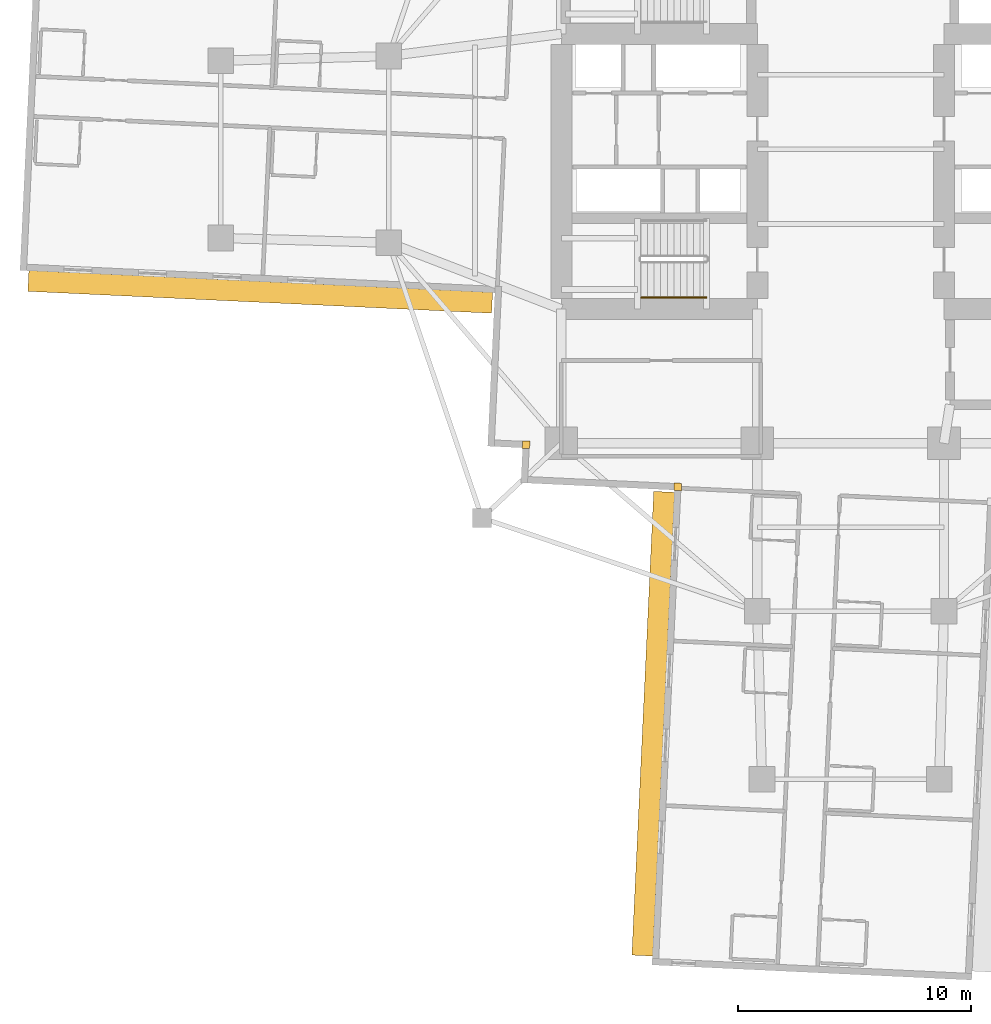
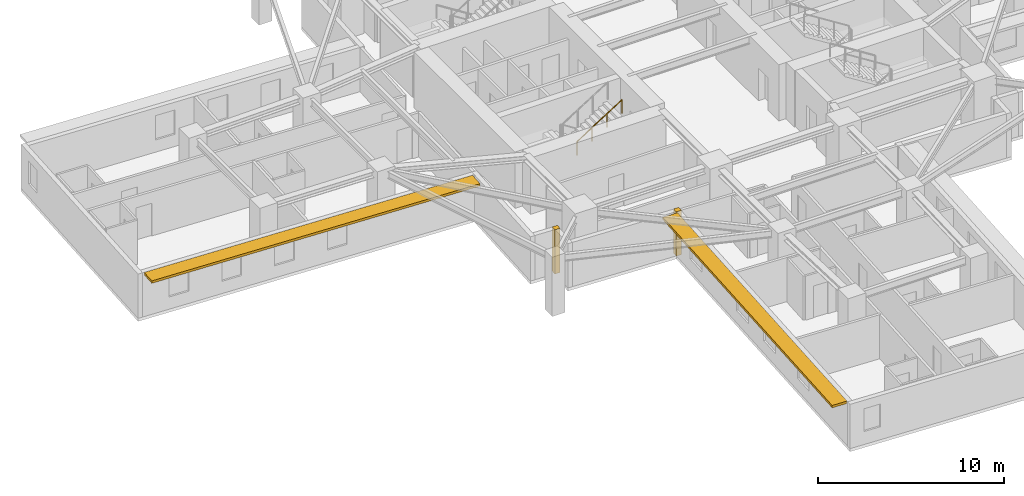
# One storey, part 10 of 14: 2 coverings, 2 shading devices, 1 railing.
"""IFC4 building model written with IfcOpenShell, lengths in metres."""

import ifcopenshell
import ifcopenshell.guid

model = None  # the IFC model being written
_history = None  # IfcOwnerHistory: only IFC2X3 demands one
_inside = {}  # id of a spatial element -> (the spatial element, [elements in it])
_under = {}  # id of a project, library or spatial element -> (it, [spatial elements below it])
_declared = {}  # id of a project -> (the project, [libraries it declares])
_typed = {}  # id of a type object -> (the type object, [elements of that type])
_made_of = {}  # id of a material, layer set ... -> (it, [elements and type objects made of it])


def new_model(schema):
    """Start an empty IFC model of exactly this schema.

    Asked for "IFC4X3", IfcOpenShell would pick the latest addendum, in which some entities
    have other attributes; the version numbers below select the first issue.
    IFC2X3 requires an IfcOwnerHistory on every rooted entity: one is made here for all.
    """
    global model, _history
    if schema == "IFC4X3":
        model = ifcopenshell.file(schema_version=(4, 3, 0, 0))
    else:
        model = ifcopenshell.file(schema=schema)
    _inside.clear()
    _under.clear()
    _declared.clear()
    _typed.clear()
    _made_of.clear()
    _history = None
    if model.schema == "IFC2X3":
        org = make("IfcOrganization", Name="unknown")
        user = make(
            "IfcPersonAndOrganization",
            ThePerson=make("IfcPerson", FamilyName="unknown"),
            TheOrganization=org,
        )
        app = make(
            "IfcApplication",
            ApplicationDeveloper=org,
            Version="unknown",
            ApplicationFullName="unknown",
            ApplicationIdentifier="unknown",
        )
        _history = make(
            "IfcOwnerHistory",
            OwningUser=user,
            OwningApplication=app,
            ChangeAction="ADDED",
            CreationDate=0,
        )
    return model


def make(cls, **values):
    """One entity of the class cls with the attributes given. An attribute that is None is left unset."""
    return model.create_entity(
        cls, **{name: value for name, value in values.items() if value is not None}
    )


def rooted(cls, **values):
    """An entity with a GlobalId (a new one), such as an element, a storey or a relation."""
    return make(cls, GlobalId=ifcopenshell.guid.new(), OwnerHistory=_history, **values)


def si_unit(unit_type, name, prefix=None):
    """IfcSIUnit, for example si_unit("LENGTHUNIT", "METRE", prefix="MILLI")."""
    return make("IfcSIUnit", UnitType=unit_type, Prefix=prefix, Name=name)


def assignment(units):
    """IfcUnitAssignment: the units of a project."""
    return None if units is None else make("IfcUnitAssignment", Units=units)


def point(xyz):
    """IfcCartesianPoint."""
    return None if xyz is None else make("IfcCartesianPoint", Coordinates=xyz)


def direction(xyz):
    """IfcDirection."""
    return None if xyz is None else make("IfcDirection", DirectionRatios=xyz)


def frame(location, z_axis=None, x_axis=None):
    """IfcAxis2Placement3D, a coordinate frame: its origin and axes. An axis left out is left unset."""
    return make(
        "IfcAxis2Placement3D",
        Location=point(location),
        Axis=direction(z_axis),
        RefDirection=direction(x_axis),
    )


def frame_2d(location, x_axis=None):
    """IfcAxis2Placement2D, a coordinate frame in the plane: its origin and x axis."""
    return make(
        "IfcAxis2Placement2D", Location=point(location), RefDirection=direction(x_axis)
    )


def origin():
    """The frame at (0, 0, 0) with its axes left unset."""
    return frame((0.0, 0.0, 0.0))


def origin_2d():
    """The frame at (0, 0) in the plane with its x axis left unset."""
    return frame_2d((0.0, 0.0))


def place(relative_to, where):
    """IfcLocalPlacement: puts the frame where relative to a parent placement (None: the world)."""
    return make(
        "IfcLocalPlacement", PlacementRelTo=relative_to, RelativePlacement=where
    )


def context(
    kind, dimensions, precision=None, world=None, true_north=None, identifier=None
):
    """IfcGeometricRepresentationContext, for example the 3D "Model" context."""
    return make(
        "IfcGeometricRepresentationContext",
        ContextIdentifier=identifier,
        ContextType=kind,
        CoordinateSpaceDimension=dimensions,
        Precision=precision,
        WorldCoordinateSystem=world,
        TrueNorth=true_north,
    )


def subcontext(parent, identifier, kind, view, scale=None):
    """IfcGeometricRepresentationSubContext, for example "Body" below "Model"."""
    return make(
        "IfcGeometricRepresentationSubContext",
        ContextIdentifier=identifier,
        ContextType=kind,
        ParentContext=parent,
        TargetScale=scale,
        TargetView=view,
    )


def project(units=None, contexts=None):
    """IfcProject with its units and contexts."""
    return rooted(
        "IfcProject",
        Name="project",
        RepresentationContexts=contexts,
        UnitsInContext=assignment(units),
    )


def spatial(cls, under=None, at=None, **own):
    """A site, building, storey or space (cls), placed at a placement, below another one or the project."""
    s = rooted(cls, ObjectPlacement=at, **own)
    if under is not None:
        _under.setdefault(under.id(), (under, []))[1].append(s)
    return s


def profile(cls, at=None, kind="AREA", **sizes):
    """A parametric profile (cls). Its sizes go by their IFC names, for example OverallWidth=200.0."""
    return make(cls, ProfileType=kind, Position=at, **sizes)


def rectangle(**sizes):
    """IfcRectangleProfileDef."""
    return profile("IfcRectangleProfileDef", **sizes)


def circle(**sizes):
    """IfcCircleProfileDef."""
    return profile("IfcCircleProfileDef", **sizes)


def extrude(swept, where, along, depth):
    """IfcExtrudedAreaSolid: the profile swept, set in the frame where, extruded along a direction by depth."""
    return make(
        "IfcExtrudedAreaSolid",
        SweptArea=swept,
        Position=where,
        ExtrudedDirection=direction(along),
        Depth=depth,
    )


def shape(context_of_items, identifier, shape_type, items):
    """IfcShapeRepresentation: the items that make up one representation, for example the "Body"."""
    return make(
        "IfcShapeRepresentation",
        ContextOfItems=context_of_items,
        RepresentationIdentifier=identifier,
        RepresentationType=shape_type,
        Items=items,
    )


def material(Name=None, Category=None):
    """IfcMaterial."""
    return make("IfcMaterial", Name=Name, Category=Category)


def layer(
    of_material, thickness, ventilated=None, Name=None, Category=None, Priority=None
):
    """IfcMaterialLayer: one layer of a wall or slab, of a material (None: an air gap)."""
    return make(
        "IfcMaterialLayer",
        Material=of_material,
        LayerThickness=thickness,
        IsVentilated=ventilated,
        Name=Name,
        Category=Category,
        Priority=Priority,
    )


def layer_set(layers, Name=None):
    """IfcMaterialLayerSet."""
    return make("IfcMaterialLayerSet", MaterialLayers=layers, LayerSetName=Name)


def made_of(thing, what):
    """Note that an element or type object is made of a material, layer set ...; save() writes the relation."""
    if what is not None:
        _made_of.setdefault(what.id(), (what, []))[1].append(thing)
    return thing


def type_object(cls, material=None, **own):
    """A type object (cls), such as IfcWallType, which elements share."""
    return made_of(rooted(cls, **own), material)


def element(
    cls,
    number,
    at=None,
    inside=None,
    cuts=None,
    type_object=None,
    material=None,
    context=None,
    identifier="Body",
    shape_type=None,
    held_by="IfcProductDefinitionShape",
    body=None,
    shapes=None,
    **own,
):
    """One element of the class cls, such as IfcWall. Its Tag is "e" and its number.

    at: its placement. inside: the storey or other place that contains it. cuts: it is an
    opening in that element (IfcRelVoidsElement). A single representation is given by context,
    identifier, shape_type and body (its items); several are given by shapes. held_by: the class
    of the entity that holds the representations. save() writes the other relations.
    """
    e = rooted(cls, Tag="e%d" % number, ObjectPlacement=at, **own)
    if body is not None:
        shapes = [shape(context, identifier, shape_type, body)]
    if shapes is not None:
        e.Representation = make(held_by, Representations=shapes)
    if inside is not None:
        _inside.setdefault(inside.id(), (inside, []))[1].append(e)
    if cuts is not None:
        rooted(
            "IfcRelVoidsElement", RelatingBuildingElement=cuts, RelatedOpeningElement=e
        )
    if type_object is not None:
        _typed.setdefault(type_object.id(), (type_object, []))[1].append(e)
    return made_of(e, material)


def aggregate(whole, parts):
    """IfcRelAggregates: a whole, such as a stair, and the parts it consists of."""
    return rooted("IfcRelAggregates", RelatingObject=whole, RelatedObjects=parts)


def save(model, path):
    """Write the relations noted so far, then the file.

    IfcRelAggregates (storeys below a building ...), IfcRelContainedInSpatialStructure (elements
    in a storey), IfcRelDefinesByType, IfcRelAssociatesMaterial and IfcRelDeclares: one each for
    every whole, place, type object, material and project.
    """
    for whole, parts in _under.values():
        aggregate(whole, parts)
    for where, things in _inside.values():
        rooted(
            "IfcRelContainedInSpatialStructure",
            RelatedElements=things,
            RelatingStructure=where,
        )
    for kind, things in _typed.values():
        rooted("IfcRelDefinesByType", RelatedObjects=things, RelatingType=kind)
    for what, things in _made_of.values():
        rooted("IfcRelAssociatesMaterial", RelatedObjects=things, RelatingMaterial=what)
    for by, libraries in _declared.values():
        rooted("IfcRelDeclares", RelatingContext=by, RelatedDefinitions=libraries)
    model.write(path)


model = new_model("IFC4")

# Units and contexts
model_context = context("Model", 3, precision=1e-05, world=origin(), true_north=direction((0.0, 1.0)))
body_context = subcontext(model_context, "Body", "Model", "MODEL_VIEW")
ifc_project = project(units=[si_unit("LENGTHUNIT", "METRE"), si_unit("AREAUNIT", "SQUARE_METRE"), si_unit("VOLUMEUNIT", "CUBIC_METRE"), si_unit("PLANEANGLEUNIT", "RADIAN"), si_unit("MASSUNIT", "GRAM", prefix="KILO")], contexts=[model_context])

# Site, building, storey
site_placement = place(None, origin())
site = spatial("IfcSite", under=ifc_project, at=site_placement, CompositionType="ELEMENT")
building_placement = place(site_placement, origin())
building = spatial("IfcBuilding", under=site, at=building_placement, Name="Qingluan Cross Belvedere", CompositionType="ELEMENT")
storey_placement = place(building_placement, frame((0.0, 0.0, 75.60009765625)))
storey = spatial("IfcBuildingStorey", under=building, at=storey_placement, Name="L19", CompositionType="ELEMENT", Elevation=75.60009765625)

# Coverings
ifc_material_1 = material(Name="Precast concrete C45", Category="concrete")
ifc_layer_1 = layer(ifc_material_1, 0.1201171875, Name="ConcreteSpandrelCladding_120")
ifc_layer_set_1 = layer_set([ifc_layer_1], Name="Precast concrete C45")
covering_type = type_object("IfcCoveringType", Name="ConcreteSpandrelCladding_120", PredefinedType="CLADDING", material=ifc_layer_set_1)
for number, where, z_axis, x_axis, name in (
    (1, (-13.911865234375, -12.65869140625, 0.0), (0.0, 0.0, 1.0), (0.998889874962, -0.04710645071, 0.0), "Corner closure L19-SW1"),
    (2, (-7.40966796875, -14.467041015625, 0.0), (0.0, 0.0, 1.0), (0.998889874962, -0.04710645071, 0.0), "Corner closure L19-SW2"),
):
    element("IfcCovering", number, at=place(storey_placement, frame(where, z_axis=z_axis, x_axis=x_axis)), inside=storey, type_object=covering_type, Name=name, PredefinedType="CLADDING", context=body_context, shape_type="SweptSolid", body=[
        extrude(rectangle(XDim=0.320068359375, YDim=0.320068359375, at=origin_2d()), origin(), (0.0, 0.0, 1.0), 2.909912109375),
    ])

# Shading devices
ifc_material_2 = material(Name="Precast concrete C45", Category="concrete")
ifc_layer_2 = layer(ifc_material_2, 0.159912109375, Name="ConcreteSunshadeBand_900")
ifc_layer_set_2 = layer_set([ifc_layer_2], Name="Precast concrete C45")
shading_device_type = type_object("IfcShadingDeviceType", Name="ConcreteSunshadeBand_900", PredefinedType="USERDEFINED", material=ifc_layer_set_2)
for number, where, z_axis, x_axis, name in (
    (3, (-25.3056640625, -6.104736328125, 2.72998046875), (0.0, 0.0, 1.0), (0.998889735192, -0.04710941444, 0.0), "Concrete SUNSHADE L19-WB"),
    (4, (-8.458984375, -24.618896484375, 2.72998046875), (0.0, 0.0, 1.0), (-0.047104684445, -0.998889958255, 0.0), "Concrete SUNSHADE L19-SA"),
):
    element("IfcShadingDevice", number, at=place(storey_placement, frame(where, z_axis=z_axis, x_axis=x_axis)), inside=storey, type_object=shading_device_type, Name=name, ObjectType="SUNSHADE", PredefinedType="USERDEFINED", context=body_context, shape_type="SweptSolid", body=[
        extrude(rectangle(XDim=19.89990234375, YDim=0.89990234375, at=origin_2d()), origin(), (0.0, 0.0, 1.0), 0.159912109375),
    ])

# Railing
ifc_material_3 = material(Name="Brushed stainless steel tubular handrail", Category="steel")
railing_type = type_object("IfcRailingType", Name="StairPitchHandrail_900", PredefinedType="HANDRAIL", material=ifc_material_3)
railing_placement = place(storey_placement, frame((-8.97998046875, -6.35009765625, 2.127197265625)))
element("IfcRailing", 5, at=railing_placement, inside=storey, type_object=railing_type, Name="L19 ST1 stair handrail 2", PredefinedType="HANDRAIL", context=body_context, shape_type="SweptSolid", body=[
    extrude(circle(Radius=0.02392578125, at=origin_2d()), frame((0.0, 0.0, 0.8759765625), z_axis=(0.844908973607, 0.0, 0.534910110503), x_axis=(0.0, 1.0, 0.0)), (0.0, 0.0, 1.0), 3.31396484375),
    extrude(circle(Radius=0.02099609375, at=origin_2d()), origin(), (0.0, 0.0, 1.0), 0.851806640625),
    extrude(circle(Radius=0.02099609375, at=origin_2d()), frame((0.933349609375, 0.0, 0.5908203125)), (0.0, 0.0, 1.0), 0.851806640625),
    extrude(circle(Radius=0.02099609375, at=origin_2d()), frame((1.86669921875, 0.0, 1.181884765625)), (0.0, 0.0, 1.0), 0.851806640625),
    extrude(circle(Radius=0.02099609375, at=origin_2d()), frame((2.800048828125, 0.0, 1.772705078125)), (0.0, 0.0, 1.0), 0.851806640625),
])

save(model, "model.ifc")
